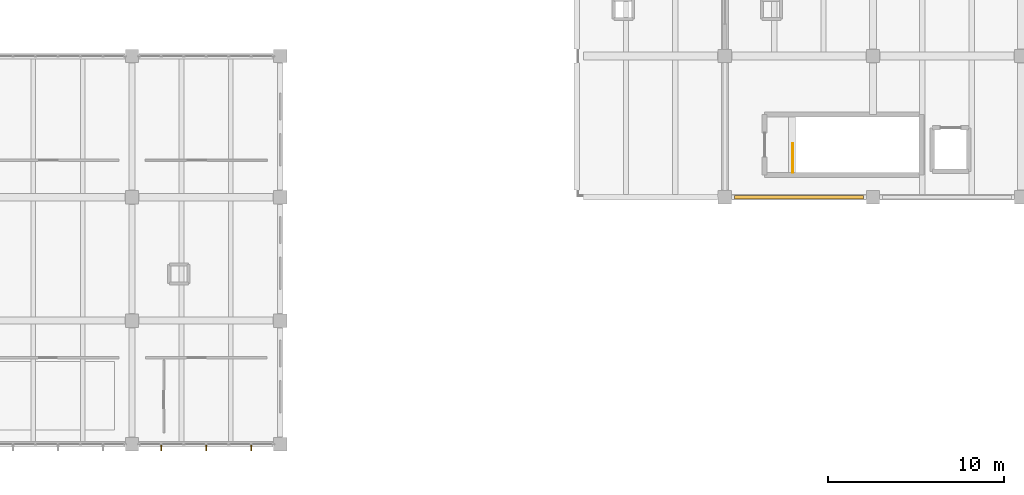
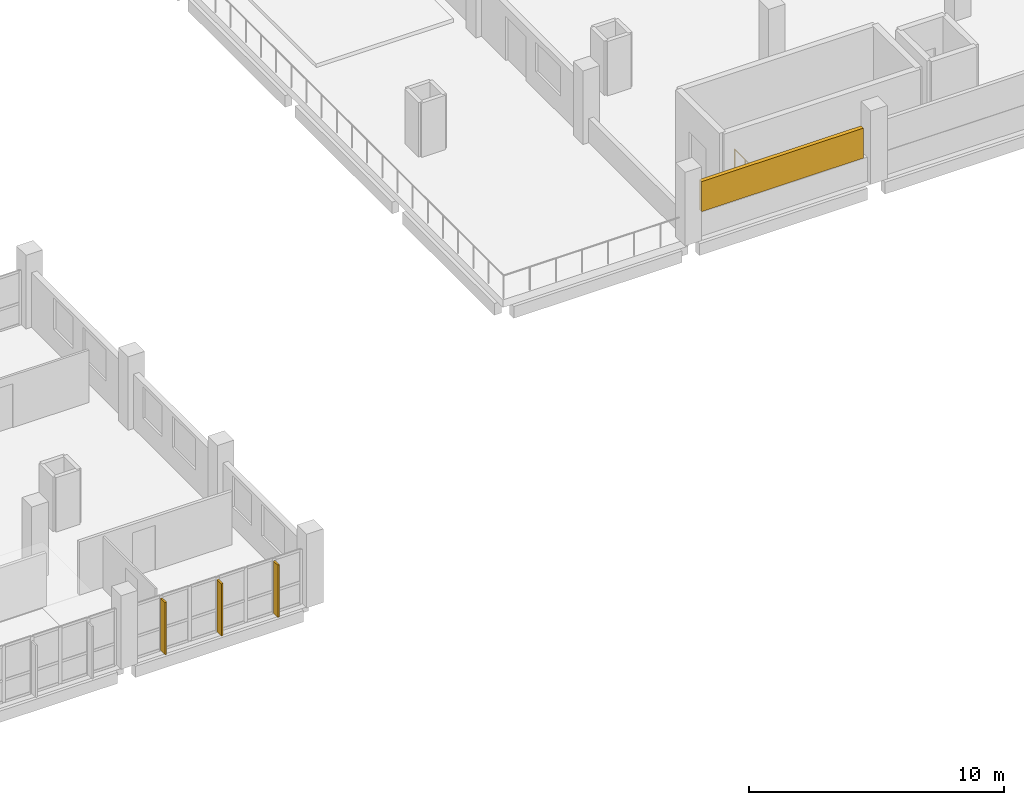
# One storey, part 89 of 95: 4 shading devices, 1 railing.
"""IFC4 building model written with IfcOpenShell, lengths in metres."""

from ifc_helpers import new_model, si_unit, direction, frame, origin, origin_2d, place, context, subcontext, project, spatial, rectangle, circle, extrude, material, type_object, element, save


model = new_model("IFC4")

# Units and contexts
model_context = context("Model", 3, precision=1e-05, world=origin(), true_north=direction((0.0, 1.0)))
body_context = subcontext(model_context, "Body", "Model", "MODEL_VIEW")
ifc_project = project(units=[si_unit("LENGTHUNIT", "METRE"), si_unit("AREAUNIT", "SQUARE_METRE"), si_unit("VOLUMEUNIT", "CUBIC_METRE"), si_unit("PLANEANGLEUNIT", "RADIAN"), si_unit("MASSUNIT", "GRAM", prefix="KILO"), si_unit("THERMODYNAMICTEMPERATUREUNIT", "KELVIN"), si_unit("POWERUNIT", "WATT")], contexts=[model_context])

# Site, building, storey
site_placement = place(None, origin())
site = spatial("IfcSite", under=ifc_project, at=site_placement, CompositionType="ELEMENT")
building_placement = place(site_placement, origin())
building = spatial("IfcBuilding", under=site, at=building_placement, Name="Mavoryth Pier Ferry Terminal", CompositionType="ELEMENT")
storey_placement = place(building_placement, frame((0.0, 0.0, 9.60009765625)))
storey = spatial("IfcBuildingStorey", under=building, at=storey_placement, Name="L02", CompositionType="ELEMENT", Elevation=9.60009765625)

# Shading devices
ifc_material_1 = material(Name="Anodised Aluminium Solar-Shading Fin", Category="aluminium")
shading_device_type_1 = type_object("IfcShadingDeviceType", Name="Fin-BriseSoleil-350x70x2500", PredefinedType="SHUTTER", material=ifc_material_1)
for number, where, z_axis, x_axis, name in (
    (1, (85.64990234375, -0.198974609375, 0.0), (0.0, 0.0, 1.0), (1.0, 0.0, 0.0), "Solar Shading Fin 115"),
    (2, (88.199951171875, -0.198974609375, 0.0), (0.0, 0.0, 1.0), (1.0, 0.0, 0.0), "Solar Shading Fin 116"),
    (3, (90.75, -0.198974609375, 0.0), (0.0, 0.0, 1.0), (1.0, 0.0, 0.0), "Solar Shading Fin 117"),
):
    element("IfcShadingDevice", number, at=place(storey_placement, frame(where, z_axis=z_axis, x_axis=x_axis)), inside=storey, type_object=shading_device_type_1, Name=name, PredefinedType="SHUTTER", context=body_context, shape_type="SweptSolid", body=[
        extrude(rectangle(XDim=0.070068359375, YDim=0.35009765625, at=origin_2d()), origin(), (0.0, 0.0, 1.0), 2.5),
    ])

# Railing
ifc_material_2 = material(Name="Painted Galvanised Steel Balustrade", Category="steel")
railing_type = type_object("IfcRailingType", Name="Guard-Stair-Steel1100", PredefinedType="GUARDRAIL", material=ifc_material_2)
railing_placement = place(storey_placement, frame((121.449951171875, 15.39990234375, 0.0)))
element("IfcRailing", 4, at=railing_placement, inside=storey, type_object=railing_type, Name="L02 ST08 top well guard 1", PredefinedType="GUARDRAIL", context=body_context, shape_type="SweptSolid", body=[
    extrude(circle(Radius=0.02392578125, at=origin_2d()), frame((0.0, 0.0, 1.076171875), z_axis=(0.0, 1.0, 0.0), x_axis=(-1.0, 0.0, 0.0)), (0.0, 0.0, 1.0), 1.650146484375),
    extrude(circle(Radius=0.02099609375, at=origin_2d()), origin(), (0.0, 0.0, 1.0), 1.052001953125),
    extrude(circle(Radius=0.02099609375, at=origin_2d()), frame((0.0, 0.8251953125, 0.0)), (0.0, 0.0, 1.0), 1.052001953125),
    extrude(circle(Radius=0.02099609375, at=origin_2d()), frame((0.0, 1.650146484375, 0.0)), (0.0, 0.0, 1.0), 1.052001953125),
])

# Shading device
ifc_material_3 = material(Name="Perforated Glazed Ceramic Solar Screen")
shading_device_type_2 = type_object("IfcShadingDeviceType", Name="Screen-Ceramic-Bay6400x1700", PredefinedType="JALOUSIE", material=ifc_material_3)
shading_device_placement = place(storey_placement, frame((121.800048828125, 14.0, 1.14990234375), z_axis=(0.0, 0.0, 1.0), x_axis=(1.0, 0.0, 0.0)))
element("IfcShadingDevice", 5, at=shading_device_placement, inside=storey, type_object=shading_device_type_2, Name="Perforated Glazed Ceramic Solar Screen 15", PredefinedType="JALOUSIE", context=body_context, shape_type="SweptSolid", body=[
    extrude(rectangle(XDim=7.320068359375, YDim=0.179931640625, at=origin_2d()), origin(), (0.0, 0.0, 1.0), 1.43505859375),
])

save(model, "model.ifc")
